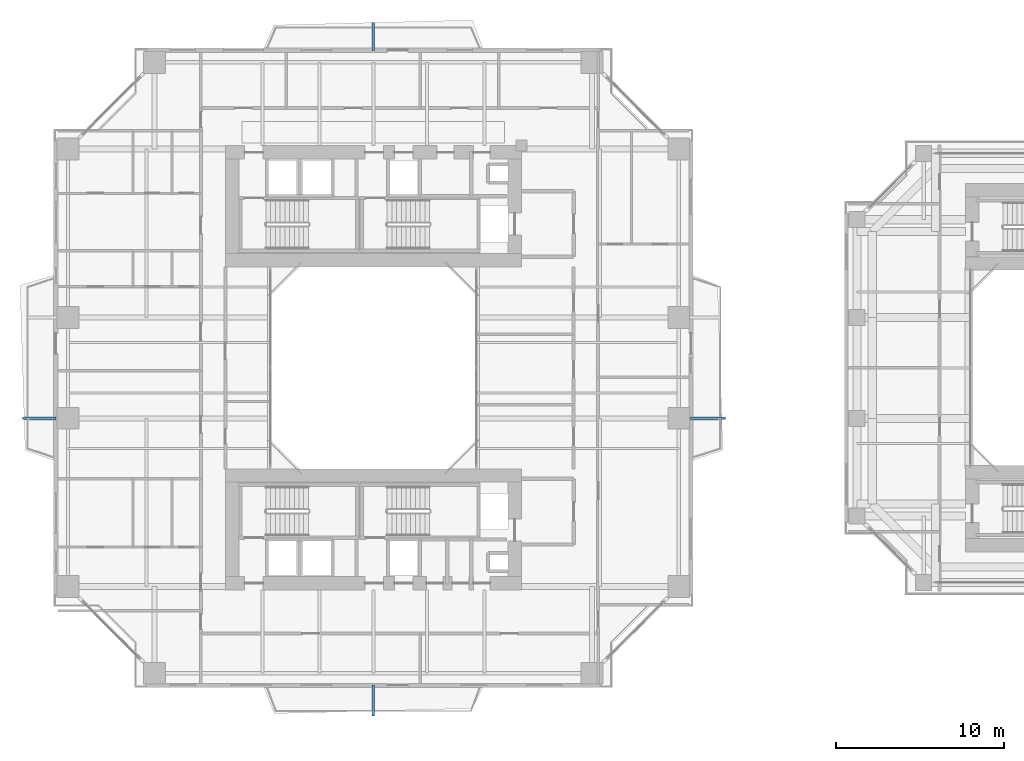
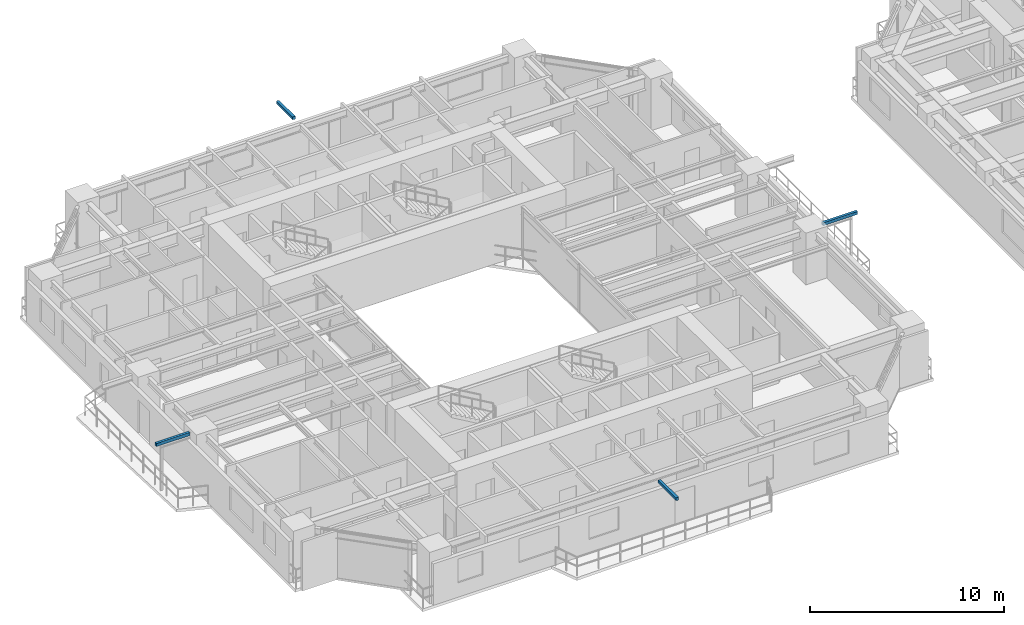
# One storey, part 19 of 23: 4 discrete accessories.
"""IFC4 building model written with IfcOpenShell, lengths in metres."""

from ifc_helpers import new_model, si_unit, direction, frame, origin, origin_2d, place, context, subcontext, project, spatial, rectangle, extrude, source, transform, mapped, material, type_object, element, save


model = new_model("IFC4")

# Units and contexts
model_context = context("Model", 3, precision=1e-05, world=origin(), true_north=direction((0.0, 1.0)))
body_context = subcontext(model_context, "Body", "Model", "MODEL_VIEW")
ifc_project = project(units=[si_unit("LENGTHUNIT", "METRE"), si_unit("AREAUNIT", "SQUARE_METRE"), si_unit("VOLUMEUNIT", "CUBIC_METRE"), si_unit("PLANEANGLEUNIT", "RADIAN"), si_unit("MASSUNIT", "GRAM", prefix="KILO"), si_unit("THERMODYNAMICTEMPERATUREUNIT", "KELVIN"), si_unit("POWERUNIT", "WATT")], contexts=[model_context])

# Site, building, storey
site_placement = place(None, origin())
site = spatial("IfcSite", under=ifc_project, at=site_placement, CompositionType="ELEMENT")
building_placement = place(site_placement, origin())
building = spatial("IfcBuilding", under=site, at=building_placement, Name="Qiaomeng Ring Towers", CompositionType="ELEMENT")
storey_placement = place(building_placement, frame((0.0, 0.0, 66.5)))
storey = spatial("IfcBuildingStorey", under=building, at=storey_placement, Name="L18", CompositionType="ELEMENT", Elevation=66.5)

# Discrete accessories
ifc_material = material(Name="Stainless steel 316", Category="steel")
discrete_accessory_type = type_object("IfcDiscreteAccessoryType", Name="ARC-ACC-BRACKET", PredefinedType="BRACKET", material=ifc_material)
shared_shape_1 = source(origin(), body_context, "Body", "SweptSolid", [
    extrude(rectangle(XDim=0.159912109375, YDim=1.85009765625, at=origin_2d()), origin(), (0.0, 0.0, 1.0), 0.179931640625),
])
discrete_accessory_1_placement = place(storey_placement, frame((19.0, 3.22509765625, 2.89990234375), z_axis=(0.0, 0.0, 1.0), x_axis=(1.0, 0.0, 0.0)))
element("IfcDiscreteAccessory", 1, at=discrete_accessory_1_placement, inside=storey, type_object=discrete_accessory_type, Name="L18 Stainless Outer-Skin Tie Bracket S", PredefinedType="BRACKET", context=body_context, shape_type="MappedRepresentation", body=[
    mapped(shared_shape_1, transform((0.0, 0.0, 0.0), x_axis=(1.0, 0.0, 0.0), y_axis=(0.0, 1.0, 0.0), z_axis=(0.0, 0.0, 1.0), scale=1.0)),
])
shared_shape_2 = source(origin(), body_context, "Body", "SweptSolid", [
    extrude(rectangle(XDim=0.159912109375, YDim=1.669921875, at=origin_2d()), origin(), (0.0, 0.0, 1.0), 0.179931640625),
])
discrete_accessory_2_placement = place(storey_placement, frame((19.0, 42.68505859375, 2.89990234375), z_axis=(0.0, 0.0, 1.0), x_axis=(1.0, 0.0, 0.0)))
element("IfcDiscreteAccessory", 2, at=discrete_accessory_2_placement, inside=storey, type_object=discrete_accessory_type, Name="L18 Stainless Outer-Skin Tie Bracket N", PredefinedType="BRACKET", context=body_context, shape_type="MappedRepresentation", body=[
    mapped(shared_shape_2, transform((0.0, 0.0, 0.0), x_axis=(1.0, 0.0, 0.0), y_axis=(0.0, 1.0, 0.0), z_axis=(0.0, 0.0, 1.0), scale=1.0)),
])
shared_shape_3 = source(origin(), body_context, "Body", "SweptSolid", [
    extrude(rectangle(XDim=2.0, YDim=0.159912109375, at=origin_2d()), origin(), (0.0, 0.0, 1.0), 0.179931640625),
])
discrete_accessory_3_placement = place(storey_placement, frame((-0.85009765625, 20.0, 2.89990234375), z_axis=(0.0, 0.0, 1.0), x_axis=(1.0, 0.0, 0.0)))
element("IfcDiscreteAccessory", 3, at=discrete_accessory_3_placement, inside=storey, type_object=discrete_accessory_type, Name="L18 Stainless Outer-Skin Tie Bracket W", PredefinedType="BRACKET", context=body_context, shape_type="MappedRepresentation", body=[
    mapped(shared_shape_3, transform((0.0, 0.0, 0.0), x_axis=(1.0, 0.0, 0.0), y_axis=(0.0, 1.0, 0.0), z_axis=(0.0, 0.0, 1.0), scale=1.0)),
])
shared_shape_4 = source(origin(), body_context, "Body", "SweptSolid", [
    extrude(rectangle(XDim=2.070068359375, YDim=0.159912109375, at=origin_2d()), origin(), (0.0, 0.0, 1.0), 0.179931640625),
])
discrete_accessory_4_placement = place(storey_placement, frame((38.885009765625, 20.0, 2.89990234375), z_axis=(0.0, 0.0, 1.0), x_axis=(1.0, 0.0, 0.0)))
element("IfcDiscreteAccessory", 4, at=discrete_accessory_4_placement, inside=storey, type_object=discrete_accessory_type, Name="L18 Stainless Outer-Skin Tie Bracket E", PredefinedType="BRACKET", context=body_context, shape_type="MappedRepresentation", body=[
    mapped(shared_shape_4, transform((0.0, 0.0, 0.0), x_axis=(1.0, 0.0, 0.0), y_axis=(0.0, 1.0, 0.0), z_axis=(0.0, 0.0, 1.0), scale=1.0)),
])

save(model, "model.ifc")
